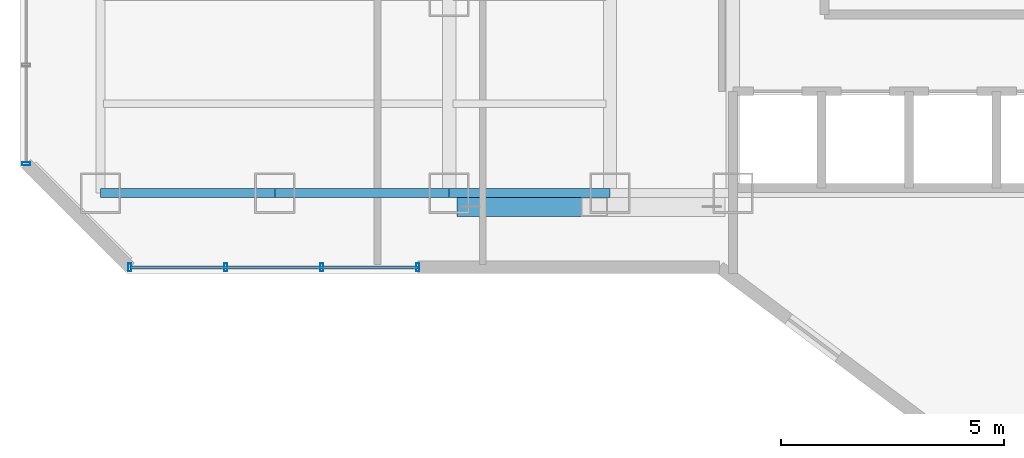
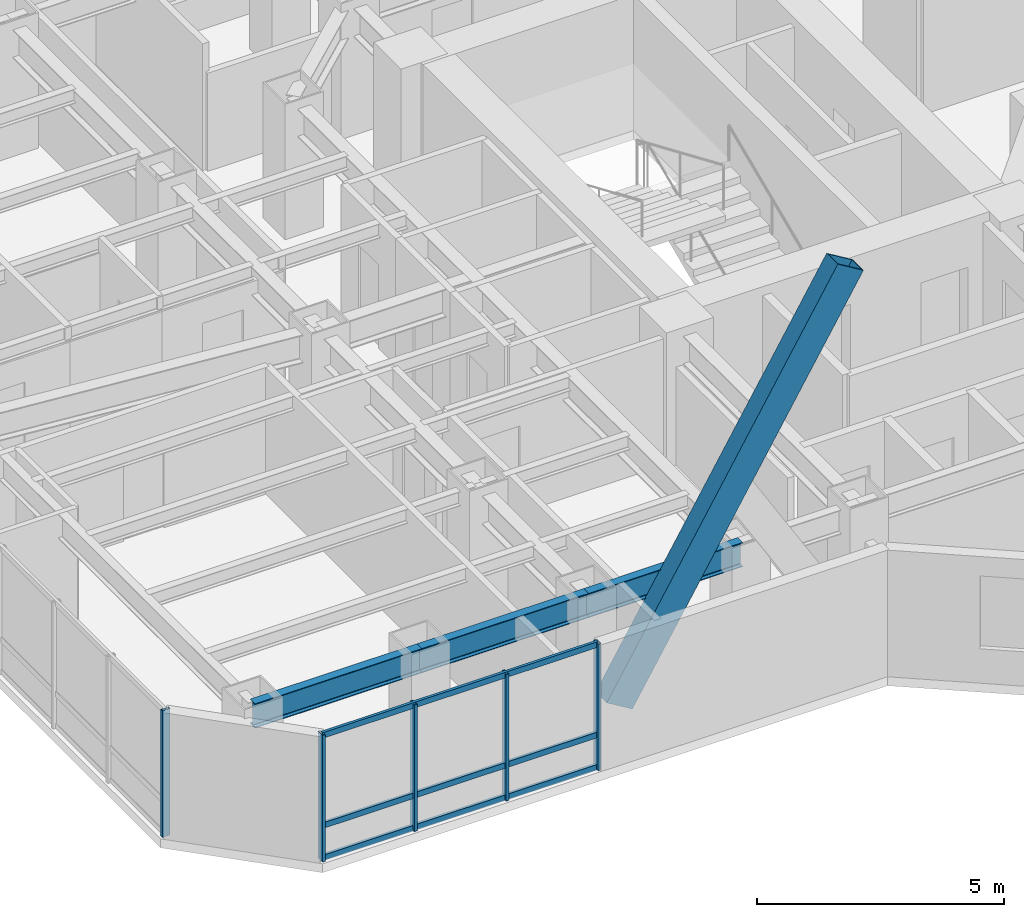
# One storey, part 2 of 30: 9 members, 3 beams, 2 elements without a shape of their own.
"""IFC4 building model written with IfcOpenShell, lengths in metres."""

from ifc_helpers import new_model, si_unit, direction, frame, origin, origin_2d, place, context, subcontext, project, spatial, hollow_rectangle, i_section, extrude, material, layer, layer_set, material_profile, profile_set, type_object, element, aggregate, save


model = new_model("IFC4")

# Units and contexts
model_context = context("Model", 3, precision=1e-05, world=origin(), true_north=direction((0.0, 1.0)))
body_context = subcontext(model_context, "Body", "Model", "MODEL_VIEW")
ifc_project = project(units=[si_unit("LENGTHUNIT", "METRE"), si_unit("AREAUNIT", "SQUARE_METRE"), si_unit("VOLUMEUNIT", "CUBIC_METRE"), si_unit("PLANEANGLEUNIT", "RADIAN"), si_unit("MASSUNIT", "GRAM", prefix="KILO")], contexts=[model_context])

# Site, building, storey
site_placement = place(None, origin())
site = spatial("IfcSite", under=ifc_project, at=site_placement, CompositionType="ELEMENT")
building_placement = place(site_placement, origin())
building = spatial("IfcBuilding", under=site, at=building_placement, Name="Hatsunagi Terrace Concourse", CompositionType="ELEMENT")
storey_placement = place(building_placement, frame((0.0, 0.0, 74.60009765625)))
storey = spatial("IfcBuildingStorey", under=building, at=storey_placement, Name="L19", CompositionType="ELEMENT", Elevation=74.60009765625)

# Curtain wall, members
ifc_material_1 = material(Name="Anodised Aluminium Alloy 6063-T5", Category="aluminium")
ifc_layer = layer(ifc_material_1, 0.199951171875)
ifc_layer_set = layer_set([ifc_layer], Name="HotelFacade_CW02")
curtain_wall_type = type_object("IfcCurtainWallType", Name="HotelFacade_CW02", PredefinedType="NOTDEFINED", material=ifc_layer_set)
curtain_wall_1_placement = place(storey_placement, origin())
curtain_wall_1 = element("IfcCurtainWall", 1, at=curtain_wall_1_placement, inside=storey, type_object=curtain_wall_type, Name="Unitised Curtain Wall CW-02 CW-L19-07", PredefinedType="NOTDEFINED")
ifc_material_2 = material(Name="Anodised Aluminium Alloy 6063-T5", Category="aluminium")
ifc_material_profile_1 = material_profile(ifc_material_2, hollow_rectangle(XDim=0.070068359375, YDim=0.179931640625, WallThickness=0.00390625, at=origin_2d()), Name="ALU-MUL-180x70x4")
ifc_profile_set_1 = profile_set([ifc_material_profile_1], Name="Anodised Aluminium Alloy 6063-T5")
member_type_1 = type_object("IfcMemberType", Name="CurtainWallMullion_180x70", PredefinedType="MULLION", material=ifc_profile_set_1)
member_1_placement = place(storey_placement, frame((18.5, 23.5400390625, 0.0), z_axis=(0.0, 0.0, 1.0), x_axis=(-1.0, 0.0, 0.0)))
member_1 = element("IfcMember", 2, at=member_1_placement, type_object=member_type_1, Name="Curtain Wall Mullion MUL-02", PredefinedType="MULLION", context=body_context, shape_type="SweptSolid", body=[
    extrude(hollow_rectangle(XDim=0.070068359375, YDim=0.179931640625, WallThickness=0.00390625, at=origin_2d()), origin(), (0.0, 0.0, 1.0), 3.1298828125),
])
member_2_placement = place(storey_placement, frame((16.35302734375, 23.5400390625, 0.0), z_axis=(0.0, 0.0, 1.0), x_axis=(-1.0, 0.0, 0.0)))
member_2 = element("IfcMember", 3, at=member_2_placement, type_object=member_type_1, Name="Curtain Wall Mullion MUL-02", PredefinedType="MULLION", context=body_context, shape_type="SweptSolid", body=[
    extrude(hollow_rectangle(XDim=0.070068359375, YDim=0.179931640625, WallThickness=0.00390625, at=origin_2d()), origin(), (0.0, 0.0, 1.0), 3.1298828125),
])
member_3_placement = place(storey_placement, frame((14.205078125, 23.5400390625, 0.0), z_axis=(0.0, 0.0, 1.0), x_axis=(-1.0, 0.0, 0.0)))
member_3 = element("IfcMember", 4, at=member_3_placement, type_object=member_type_1, Name="Curtain Wall Mullion MUL-02", PredefinedType="MULLION", context=body_context, shape_type="SweptSolid", body=[
    extrude(hollow_rectangle(XDim=0.070068359375, YDim=0.179931640625, WallThickness=0.00390625, at=origin_2d()), origin(), (0.0, 0.0, 1.0), 3.1298828125),
])
member_4_placement = place(storey_placement, frame((12.05810546875, 23.5400390625, 0.0), z_axis=(0.0, 0.0, 1.0), x_axis=(-1.0, 0.0, 0.0)))
member_4 = element("IfcMember", 5, at=member_4_placement, type_object=member_type_1, Name="Curtain Wall Mullion MUL-02", PredefinedType="MULLION", context=body_context, shape_type="SweptSolid", body=[
    extrude(hollow_rectangle(XDim=0.070068359375, YDim=0.179931640625, WallThickness=0.00390625, at=origin_2d()), origin(), (0.0, 0.0, 1.0), 3.1298828125),
])

# Curtain wall, member
curtain_wall_2_placement = place(storey_placement, origin())
curtain_wall_2 = element("IfcCurtainWall", 6, at=curtain_wall_2_placement, inside=storey, type_object=curtain_wall_type, Name="Unitised Curtain Wall CW-02 CW-L19-09", PredefinedType="NOTDEFINED")
member_5_placement = place(storey_placement, frame((9.739990234375, 25.85791015625, 0.0), z_axis=(0.0, 0.0, 1.0), x_axis=(0.0, 1.0, 0.0)))
member_5 = element("IfcMember", 7, at=member_5_placement, type_object=member_type_1, Name="Curtain Wall Mullion MUL-02", PredefinedType="MULLION", context=body_context, shape_type="SweptSolid", body=[
    extrude(hollow_rectangle(XDim=0.070068359375, YDim=0.179931640625, WallThickness=0.00390625, at=origin_2d()), origin(), (0.0, 0.0, 1.0), 3.1298828125),
])
aggregate(curtain_wall_2, [member_5])

# Member
ifc_material_3 = material(Name="Anodised Aluminium Alloy 6063-T5", Category="aluminium")
ifc_material_profile_2 = material_profile(ifc_material_3, hollow_rectangle(XDim=0.06494140625, YDim=0.139892578125, WallThickness=0.00390625, at=origin_2d()), Name="ALU-TRN-140x65x4")
ifc_profile_set_2 = profile_set([ifc_material_profile_2], Name="Anodised Aluminium Alloy 6063-T5")
member_type_2 = type_object("IfcMemberType", Name="CurtainWallTransom_140x65", PredefinedType="USERDEFINED", material=ifc_profile_set_2)
member_6_placement = place(storey_placement, frame((18.5, 23.5400390625, 0.0498046875), z_axis=(-1.0, 0.0, 0.0), x_axis=(0.0, -1.0, 0.0)))
member_6 = element("IfcMember", 8, at=member_6_placement, type_object=member_type_2, Name="Curtain Wall Transom TRN-02", ObjectType="TRANSOM", PredefinedType="USERDEFINED", context=body_context, shape_type="SweptSolid", body=[
    extrude(hollow_rectangle(XDim=0.06494140625, YDim=0.139892578125, WallThickness=0.00390625, at=origin_2d()), origin(), (0.0, 0.0, 1.0), 6.44189453125),
])

member_7_placement = place(storey_placement, frame((18.5, 23.5400390625, 0.849853515625), z_axis=(-1.0, 0.0, 0.0), x_axis=(0.0, -1.0, 0.0)))
member_7 = element("IfcMember", 9, at=member_7_placement, type_object=member_type_2, Name="Curtain Wall Transom TRN-02", ObjectType="TRANSOM", PredefinedType="USERDEFINED", context=body_context, shape_type="SweptSolid", body=[
    extrude(hollow_rectangle(XDim=0.06494140625, YDim=0.139892578125, WallThickness=0.00390625, at=origin_2d()), origin(), (0.0, 0.0, 1.0), 6.44189453125),
])

member_8_placement = place(storey_placement, frame((18.5, 23.5400390625, 3.079833984375), z_axis=(-1.0, 0.0, 0.0), x_axis=(0.0, -1.0, 0.0)))
member_8 = element("IfcMember", 10, at=member_8_placement, type_object=member_type_2, Name="Curtain Wall Transom TRN-02", ObjectType="TRANSOM", PredefinedType="USERDEFINED", context=body_context, shape_type="SweptSolid", body=[
    extrude(hollow_rectangle(XDim=0.06494140625, YDim=0.139892578125, WallThickness=0.00390625, at=origin_2d()), origin(), (0.0, 0.0, 1.0), 6.44189453125),
])

aggregate(curtain_wall_1, [member_1, member_2, member_3, member_4, member_6, member_7, member_8])

# Beams
ifc_material_4 = material(Name="Steel SN490B", Category="steel")
ifc_material_profile_3 = material_profile(ifc_material_4, i_section(OverallWidth=0.199951171875, OverallDepth=0.60009765625, WebThickness=0.010986328125, FlangeThickness=0.01708984375, FilletRadius=0.01806640625, at=origin_2d()), Name="H-600x200x11x17")
ifc_profile_set_3 = profile_set([ifc_material_profile_3], Name="Steel SN490B")
beam_type = type_object("IfcBeamType", Name="PerimeterSpandrel_H_600x200", PredefinedType="SPANDREL", material=ifc_profile_set_3)
beam_1_placement = place(storey_placement, frame((11.39990234375, 25.199951171875, 2.829833984375), z_axis=(1.0, 0.0, 0.0), x_axis=(0.0, 1.0, 0.0)))
element("IfcBeam", 11, at=beam_1_placement, inside=storey, type_object=beam_type, Name="Beam SP-01 BM-L19-WS-11", PredefinedType="SPANDREL", context=body_context, shape_type="SweptSolid", body=[
    extrude(i_section(OverallWidth=0.199951171875, OverallDepth=0.60009765625, WebThickness=0.010986328125, FlangeThickness=0.01708984375, FilletRadius=0.01806640625, at=origin_2d()), origin(), (0.0, 0.0, 1.0), 3.900146484375),
])
beam_2_placement = place(storey_placement, frame((15.300048828125, 25.199951171875, 2.829833984375), z_axis=(1.0, 0.0, 0.0), x_axis=(0.0, 1.0, 0.0)))
element("IfcBeam", 12, at=beam_2_placement, inside=storey, type_object=beam_type, Name="Beam SP-01 BM-L19-WS-15", PredefinedType="SPANDREL", context=body_context, shape_type="SweptSolid", body=[
    extrude(i_section(OverallWidth=0.199951171875, OverallDepth=0.60009765625, WebThickness=0.010986328125, FlangeThickness=0.01708984375, FilletRadius=0.01806640625, at=origin_2d()), origin(), (0.0, 0.0, 1.0), 3.89990234375),
])
beam_3_placement = place(storey_placement, frame((19.199951171875, 25.199951171875, 2.829833984375), z_axis=(1.0, 0.0, 0.0), x_axis=(0.0, 1.0, 0.0)))
element("IfcBeam", 13, at=beam_3_placement, inside=storey, type_object=beam_type, Name="Beam SP-01 BM-L19-WS-19", PredefinedType="SPANDREL", context=body_context, shape_type="SweptSolid", body=[
    extrude(i_section(OverallWidth=0.199951171875, OverallDepth=0.60009765625, WebThickness=0.010986328125, FlangeThickness=0.01708984375, FilletRadius=0.01806640625, at=origin_2d()), origin(), (0.0, 0.0, 1.0), 3.60009765625),
])

# Member
ifc_material_5 = material(Name="Steel SN490B", Category="steel")
ifc_material_profile_4 = material_profile(ifc_material_5, hollow_rectangle(XDim=0.449951171875, YDim=0.699951171875, WallThickness=0.028076171875, at=origin_2d()), Name="RHS-700x450x28")
ifc_profile_set_4 = profile_set([ifc_material_profile_4], Name="Steel SN490B")
member_type_3 = type_object("IfcMemberType", Name="PerimeterXBrace_Lower_RHS_700x450x28", PredefinedType="BRACE", material=ifc_profile_set_4)
member_9_placement = place(storey_placement, frame((19.675048828125, 24.89990234375, 0.43994140625), z_axis=(0.516599726899, 0.0, 0.856227027235), x_axis=(0.0, 1.0, 0.0)))
element("IfcMember", 14, at=member_9_placement, inside=storey, type_object=member_type_3, Name="Perimeter X-Brace XB-01 XB-L19-W1A", PredefinedType="BRACE", context=body_context, shape_type="SweptSolid", body=[
    extrude(hollow_rectangle(XDim=0.449951171875, YDim=0.699951171875, WallThickness=0.028076171875, at=origin_2d()), origin(), (0.0, 0.0, 1.0), 10.452880859375),
])

save(model, "model.ifc")
